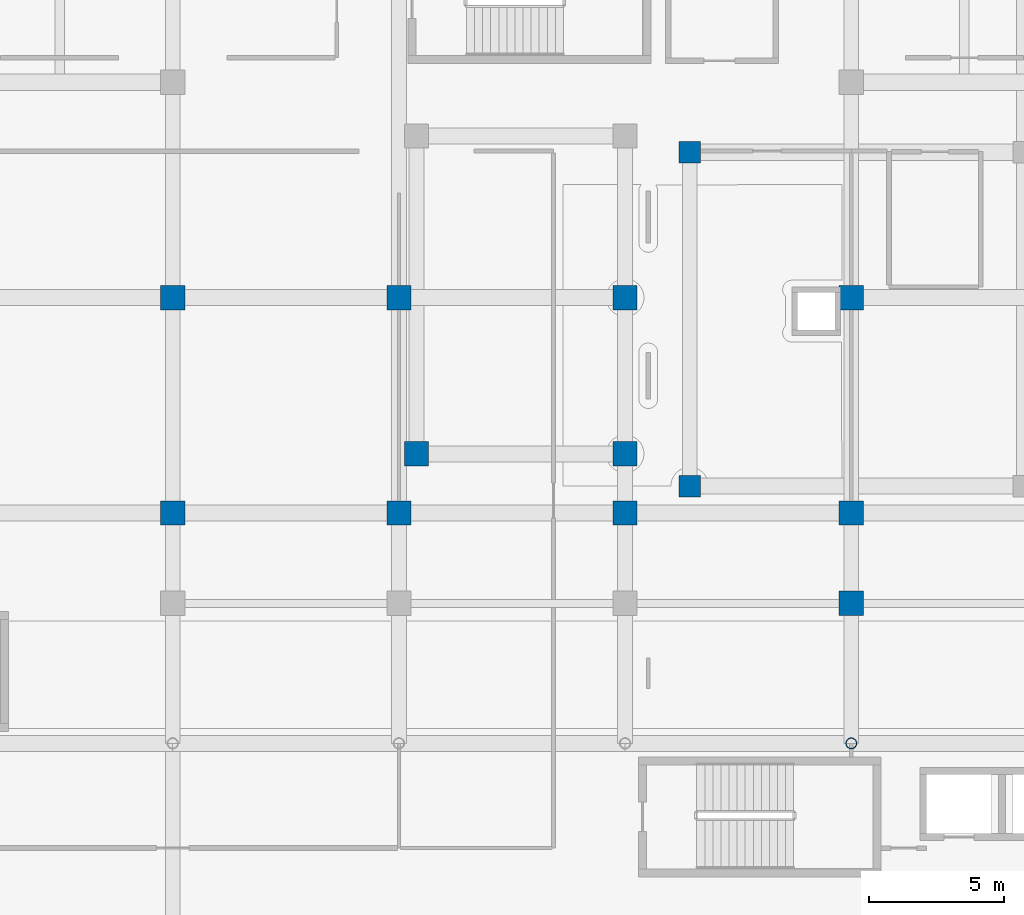
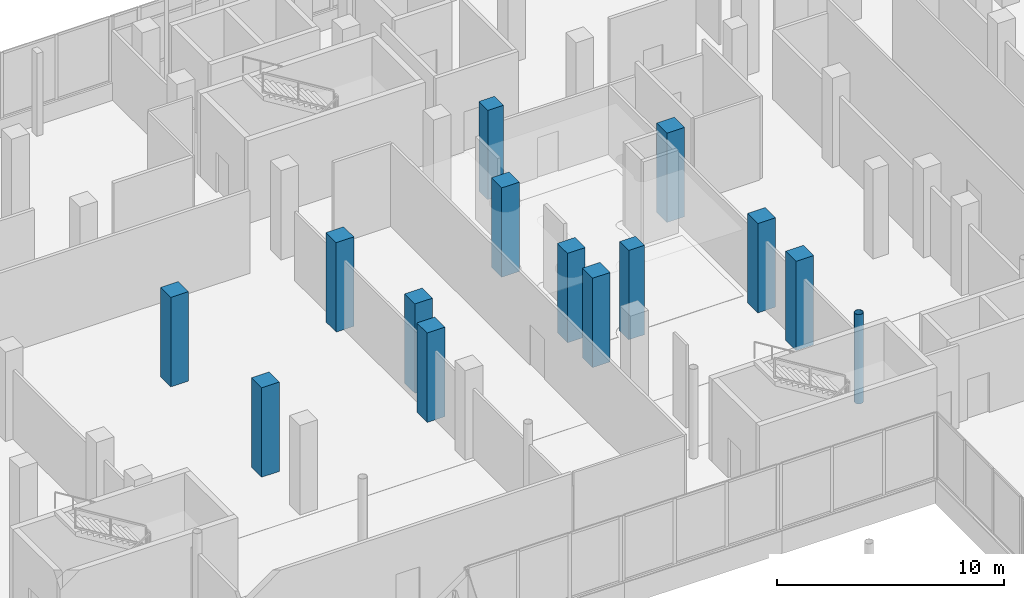
# One storey, part 8 of 168: 14 columns.
"""IFC4 building model written with IfcOpenShell, lengths in metres."""

from ifc_helpers import new_model, si_unit, direction, frame, origin, origin_2d, place, context, subcontext, project, spatial, rectangle, hollow_circle, extrude, material, material_profile, profile_set, type_object, element, save


model = new_model("IFC4")

# Units and contexts
model_context = context("Model", 3, precision=1e-05, world=origin(), true_north=direction((0.0, 1.0)))
body_context = subcontext(model_context, "Body", "Model", "MODEL_VIEW")
ifc_project = project(units=[si_unit("LENGTHUNIT", "METRE"), si_unit("AREAUNIT", "SQUARE_METRE"), si_unit("VOLUMEUNIT", "CUBIC_METRE"), si_unit("PLANEANGLEUNIT", "RADIAN"), si_unit("MASSUNIT", "GRAM", prefix="KILO")], contexts=[model_context])

# Site, building, storey
site_placement = place(None, origin())
site = spatial("IfcSite", under=ifc_project, at=site_placement, CompositionType="ELEMENT")
building_placement = place(site_placement, origin())
building = spatial("IfcBuilding", under=site, at=building_placement, Name="Selatvlak General Hospital", CompositionType="ELEMENT")
storey_placement = place(building_placement, frame((0.0, 0.0, 5.39990234375)))
storey = spatial("IfcBuildingStorey", under=building, at=storey_placement, Name="L01", CompositionType="ELEMENT", Elevation=5.39990234375)

# Columns
ifc_material_1 = material(Name="Steel S355", Category="steel")
ifc_material_profile_1 = material_profile(ifc_material_1, hollow_circle(Radius=0.203125, WallThickness=0.01611328125, at=origin_2d()), Name="CHS 406.4x16")
ifc_profile_set_1 = profile_set([ifc_material_profile_1], Name="Steel S355")
column_type_1 = type_object("IfcColumnType", Name="COL-CHS406", PredefinedType="COLUMN", material=ifc_profile_set_1)
column_placement = place(storey_placement, frame((64.800048828125, 83.449951171875, 0.0), z_axis=(0.0, 0.0, 1.0), x_axis=(1.0, 0.0, 0.0)))
element("IfcColumn", 1, at=column_placement, inside=storey, type_object=column_type_1, Name="Column 018 on L01", PredefinedType="COLUMN", context=body_context, shape_type="SweptSolid", body=[
    extrude(hollow_circle(Radius=0.203125, WallThickness=0.01611328125, at=origin_2d()), origin(), (0.0, 0.0, 1.0), 4.800048828125),
])
ifc_material_2 = material(Name="Concrete C50/60", Category="concrete")
ifc_material_profile_2 = material_profile(ifc_material_2, rectangle(XDim=0.800048828125, YDim=0.800048828125, at=origin_2d()), Name="RC-COL 800x800")
ifc_profile_set_2 = profile_set([ifc_material_profile_2], Name="Concrete C50/60")
column_type_2 = type_object("IfcColumnType", Name="COL-RC80", PredefinedType="COLUMN", material=ifc_profile_set_2)
for number, where, z_axis, x_axis, name in (
    (2, (58.800048828125, 93.0, 0.0), (0.0, 0.0, 1.0), (1.0, 0.0, 0.0), "Column 037 on L01"),
    (3, (58.800048828125, 105.39990234375, 0.0), (0.0, 0.0, 1.0), (1.0, 0.0, 0.0), "Column 038 on L01"),
):
    element("IfcColumn", number, at=place(storey_placement, frame(where, z_axis=z_axis, x_axis=x_axis)), inside=storey, type_object=column_type_2, Name=name, PredefinedType="COLUMN", context=body_context, shape_type="SweptSolid", body=[
        extrude(rectangle(XDim=0.800048828125, YDim=0.800048828125, at=origin_2d()), origin(), (0.0, 0.0, 1.0), 4.800048828125),
    ])
ifc_material_profile_3 = material_profile(ifc_material_2, rectangle(XDim=0.89990234375, YDim=0.89990234375, at=origin_2d()), Name="RC-COL 900x900")
ifc_profile_set_3 = profile_set([ifc_material_profile_3], Name="Concrete C50/60")
column_type_3 = type_object("IfcColumnType", Name="COL-RC90", PredefinedType="COLUMN", material=ifc_profile_set_3)
for number, where, z_axis, x_axis, name in (
    (4, (48.64990234375, 94.199951171875, 0.0), (0.0, 0.0, 1.0), (1.0, 0.0, 0.0), "Column 046 on L01"),
    (5, (56.39990234375, 94.199951171875, 0.0), (0.0, 0.0, 1.0), (1.0, 0.0, 0.0), "Column 047 on L01"),
    (6, (39.60009765625, 92.0, 0.0), (0.0, 0.0, 1.0), (1.0, 0.0, 0.0), "Column 171 on L01"),
    (7, (39.60009765625, 100.0, 0.0), (0.0, 0.0, 1.0), (1.0, 0.0, 0.0), "Column 172 on L01"),
    (8, (48.0, 92.0, 0.0), (0.0, 0.0, 1.0), (1.0, 0.0, 0.0), "Column 178 on L01"),
    (9, (48.0, 100.0, 0.0), (0.0, 0.0, 1.0), (1.0, 0.0, 0.0), "Column 179 on L01"),
    (10, (56.39990234375, 92.0, 0.0), (0.0, 0.0, 1.0), (1.0, 0.0, 0.0), "Column 182 on L01"),
    (11, (56.39990234375, 100.0, 0.0), (0.0, 0.0, 1.0), (1.0, 0.0, 0.0), "Column 183 on L01"),
    (12, (64.800048828125, 88.64990234375, 0.0), (0.0, 0.0, 1.0), (1.0, 0.0, 0.0), "Column 186 on L01"),
    (13, (64.800048828125, 92.0, 0.0), (0.0, 0.0, 1.0), (1.0, 0.0, 0.0), "Column 187 on L01"),
    (14, (64.800048828125, 100.0, 0.0), (0.0, 0.0, 1.0), (1.0, 0.0, 0.0), "Column 188 on L01"),
):
    element("IfcColumn", number, at=place(storey_placement, frame(where, z_axis=z_axis, x_axis=x_axis)), inside=storey, type_object=column_type_3, Name=name, PredefinedType="COLUMN", context=body_context, shape_type="SweptSolid", body=[
        extrude(rectangle(XDim=0.89990234375, YDim=0.89990234375, at=origin_2d()), origin(), (0.0, 0.0, 1.0), 4.800048828125),
    ])

save(model, "model.ifc")
